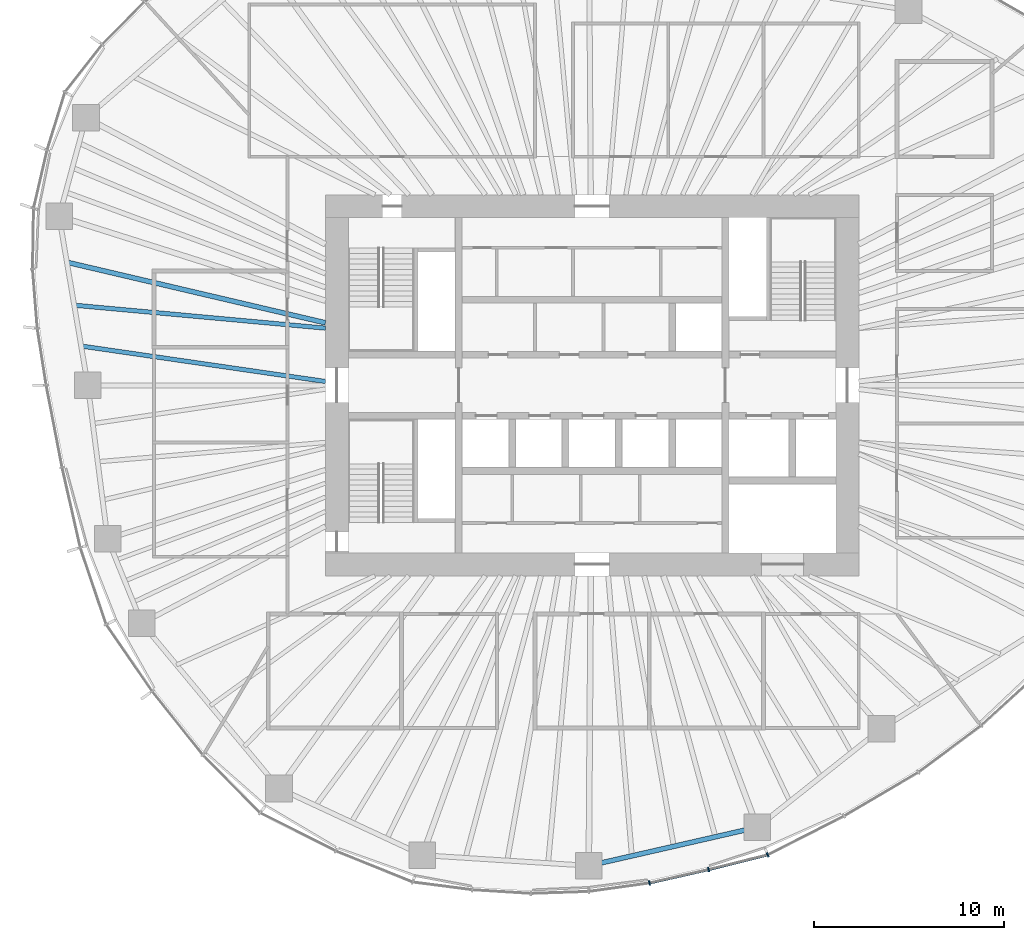
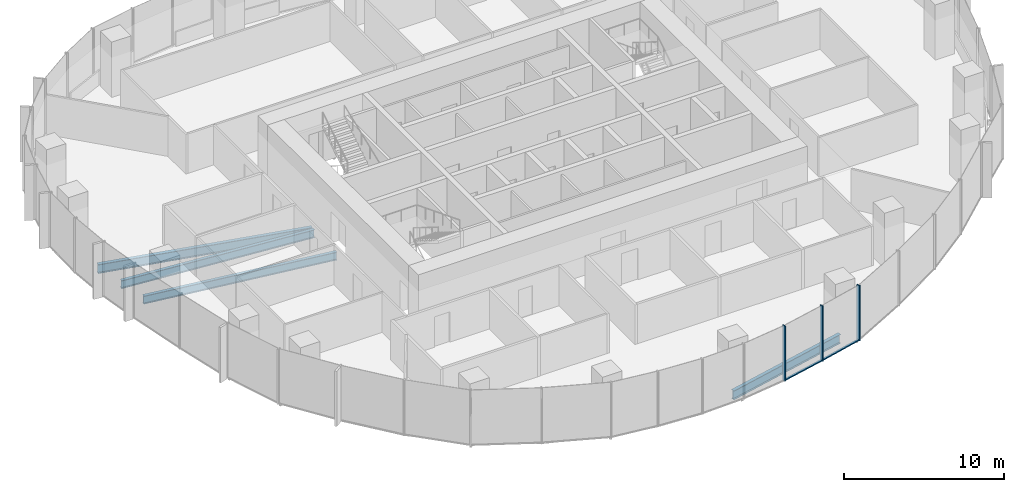
# One storey, part 3 of 18: 5 members, 4 beams, 2 elements without a shape of their own.
"""IFC4 building model written with IfcOpenShell, lengths in metres."""

from ifc_helpers import new_model, si_unit, direction, frame, origin, origin_2d, place, context, subcontext, project, spatial, rectangle, i_section, extrude, material, material_profile, profile_set, type_object, element, aggregate, save


model = new_model("IFC4")

# Units and contexts
model_context = context("Model", 3, precision=1e-05, world=origin(), true_north=direction((0.0, 1.0)))
body_context = subcontext(model_context, "Body", "Model", "MODEL_VIEW")
ifc_project = project(units=[si_unit("LENGTHUNIT", "METRE"), si_unit("AREAUNIT", "SQUARE_METRE"), si_unit("VOLUMEUNIT", "CUBIC_METRE"), si_unit("PLANEANGLEUNIT", "RADIAN"), si_unit("MASSUNIT", "GRAM", prefix="KILO")], contexts=[model_context])

# Site, building, storey
site_placement = place(None, origin())
site = spatial("IfcSite", under=ifc_project, at=site_placement, CompositionType="ELEMENT")
building_placement = place(site_placement, origin())
building = spatial("IfcBuilding", under=site, at=building_placement, Name="Ghaith Harvest Tower", CompositionType="ELEMENT")
storey_placement = place(building_placement, frame((0.0, 0.0, 151.199951171875)))
storey = spatial("IfcBuildingStorey", under=building, at=storey_placement, Name="L32", CompositionType="ELEMENT", Elevation=151.199951171875)

# Curtain wall, members
ifc_material_1 = material(Name="Black anodised aluminium and fritted glass", Category="aluminium")
curtain_wall_type = type_object("IfcCurtainWallType", Name="CW-L CURTAIN WALL", PredefinedType="NOTDEFINED", material=ifc_material_1)
curtain_wall_1_placement = place(storey_placement, origin())
curtain_wall_1 = element("IfcCurtainWall", 1, at=curtain_wall_1_placement, inside=storey, type_object=curtain_wall_type, Name="Curtain wall CW-L bay 16 L32", PredefinedType="NOTDEFINED")
ifc_material_2 = material(Name="Aluminium, black anodised", Category="aluminium")
ifc_material_profile_1 = material_profile(ifc_material_2, rectangle(XDim=0.080078125, YDim=0.239990234375, at=origin_2d()), Name="CW-L MULLION 80x240")
ifc_profile_set_1 = profile_set([ifc_material_profile_1], Name="Aluminium, black anodised")
member_type_1 = type_object("IfcMemberType", Name="CW-L MULLION 80x240", PredefinedType="MULLION", material=ifc_profile_set_1)
member_1_placement = place(storey_placement, frame((3.010009765625, -26.12939453125, 0.0), z_axis=(0.0, 0.0, 1.0), x_axis=(0.983806317978, 0.179234842337, 0.0)))
member_1 = element("IfcMember", 2, at=member_1_placement, type_object=member_type_1, Name="CW-L mullion 2 bay 16 L32", PredefinedType="MULLION", context=body_context, shape_type="SweptSolid", body=[
    extrude(rectangle(XDim=0.080078125, YDim=0.239990234375, at=origin_2d()), origin(), (0.0, 0.0, 1.0), 4.199951171875),
])
member_2_placement = place(storey_placement, frame((6.1201171875, -25.425537109375, 0.0), z_axis=(0.0, 0.0, 1.0), x_axis=(0.972918144681, 0.231149916179, 0.0)))
member_2 = element("IfcMember", 3, at=member_2_placement, type_object=member_type_1, Name="CW-L mullion 3 bay 16 L32", PredefinedType="MULLION", context=body_context, shape_type="SweptSolid", body=[
    extrude(rectangle(XDim=0.080078125, YDim=0.239990234375, at=origin_2d()), origin(), (0.0, 0.0, 1.0), 4.199951171875),
])

# Curtain wall, member
curtain_wall_2_placement = place(storey_placement, origin())
curtain_wall_2 = element("IfcCurtainWall", 4, at=curtain_wall_2_placement, inside=storey, type_object=curtain_wall_type, Name="Curtain wall CW-L bay 17 L32", PredefinedType="NOTDEFINED")
member_3_placement = place(storey_placement, frame((9.216796875, -24.654541015625, 0.0), z_axis=(0.0, 0.0, 1.0), x_axis=(0.929831847154, 0.367984695358, 0.0)))
member_3 = element("IfcMember", 5, at=member_3_placement, type_object=member_type_1, Name="CW-L mullion 1 bay 17 L32", PredefinedType="MULLION", context=body_context, shape_type="SweptSolid", body=[
    extrude(rectangle(XDim=0.080078125, YDim=0.239990234375, at=origin_2d()), origin(), (0.0, 0.0, 1.0), 4.199951171875),
])
aggregate(curtain_wall_2, [member_3])

# Member
ifc_material_3 = material(Name="Aluminium, black anodised", Category="aluminium")
ifc_material_profile_2 = material_profile(ifc_material_3, rectangle(XDim=0.14990234375, YDim=0.080078125, at=origin_2d()), Name="CW-L TRANSOM 150x80")
ifc_profile_set_2 = profile_set([ifc_material_profile_2], Name="Aluminium, black anodised")
member_type_2 = type_object("IfcMemberType", Name="CW-L TRANSOM 150x80", PredefinedType="USERDEFINED", material=ifc_profile_set_2)
member_4_placement = place(storey_placement, frame((3.048828125, -26.120361328125, 0.0400390625), z_axis=(0.975352213651, 0.22065370907, 0.0), x_axis=(-0.22065370907, 0.975352213651, 0.0)))
member_4 = element("IfcMember", 6, at=member_4_placement, type_object=member_type_2, Name="CW-L transom 2 bay 16 L32", ObjectType="TRANSOM", PredefinedType="USERDEFINED", context=body_context, shape_type="SweptSolid", body=[
    extrude(rectangle(XDim=0.14990234375, YDim=0.080078125, at=origin_2d()), origin(), (0.0, 0.0, 1.0), 3.109130859375),
])

member_5_placement = place(storey_placement, frame((6.158935546875, -25.415771484375, 0.0400390625), z_axis=(0.97039125345, 0.241538434265, 0.0), x_axis=(-0.241538434265, 0.97039125345, 0.0)))
member_5 = element("IfcMember", 7, at=member_5_placement, type_object=member_type_2, Name="CW-L transom 3 bay 16 L32", ObjectType="TRANSOM", PredefinedType="USERDEFINED", context=body_context, shape_type="SweptSolid", body=[
    extrude(rectangle(XDim=0.14990234375, YDim=0.080078125, at=origin_2d()), origin(), (0.0, 0.0, 1.0), 3.111083984375),
])

aggregate(curtain_wall_1, [member_1, member_4, member_2, member_5])

# Beams
ifc_material_4 = material(Name="Steel ASTM A992 Grade 50", Category="steel")
ifc_material_profile_3 = material_profile(ifc_material_4, i_section(OverallWidth=0.25390625, OverallDepth=0.68408203125, WebThickness=0.012451171875, FlangeThickness=0.018798828125, at=origin_2d()), Name="W690X140")
ifc_profile_set_3 = profile_set([ifc_material_profile_3], Name="Steel ASTM A992 Grade 50")
beam_type_1 = type_object("IfcBeamType", Name="E690-140 W690X140", PredefinedType="SPANDREL", material=ifc_profile_set_3)
beam_1_placement = place(storey_placement, frame((-0.173095703125, -25.22412109375, -0.511962890625), z_axis=(0.974881709383, 0.22272326486, 0.0), x_axis=(-0.22272326486, 0.974881709383, 0.0)))
element("IfcBeam", 8, at=beam_1_placement, inside=storey, type_object=beam_type_1, Name="Edge beam E16 L32", PredefinedType="SPANDREL", context=body_context, shape_type="SweptSolid", body=[
    extrude(i_section(OverallWidth=0.25390625, OverallDepth=0.68408203125, WebThickness=0.012451171875, FlangeThickness=0.018798828125, at=origin_2d()), origin(), (0.0, 0.0, 1.0), 9.0751953125),
])
ifc_material_5 = material(Name="Steel ASTM A992 Grade 50", Category="steel")
ifc_material_profile_4 = material_profile(ifc_material_5, i_section(OverallWidth=0.22900390625, OverallDepth=0.612060546875, WebThickness=0.011962890625, FlangeThickness=0.01953125, at=origin_2d()), Name="W610X125")
ifc_profile_set_4 = profile_set([ifc_material_profile_4], Name="Steel ASTM A992 Grade 50")
beam_type_2 = type_object("IfcBeamType", Name="J610-125 W610X125", PredefinedType="JOIST", material=ifc_profile_set_4)
beam_2_placement = place(storey_placement, frame((-14.0, 3.0, -0.475830078125), z_axis=(-0.995849123151, 0.091019360137, 0.0), x_axis=(-0.091019360137, -0.995849123151, 0.0)))
element("IfcBeam", 9, at=beam_2_placement, inside=storey, type_object=beam_type_2, Name="Joist J10.2 L32", PredefinedType="JOIST", context=body_context, shape_type="SweptSolid", body=[
    extrude(i_section(OverallWidth=0.22900390625, OverallDepth=0.612060546875, WebThickness=0.011962890625, FlangeThickness=0.01953125, at=origin_2d()), origin(), (0.0, 0.0, 1.0), 13.2451171875),
])
beam_3_placement = place(storey_placement, frame((-14.0, 0.199951171875, -0.475830078125), z_axis=(-0.989622120656, 0.143694322465, 0.0), x_axis=(-0.143694322465, -0.989622120656, 0.0)))
element("IfcBeam", 10, at=beam_3_placement, inside=storey, type_object=beam_type_2, Name="Joist J10.3 L32", PredefinedType="JOIST", context=body_context, shape_type="SweptSolid", body=[
    extrude(i_section(OverallWidth=0.22900390625, OverallDepth=0.612060546875, WebThickness=0.011962890625, FlangeThickness=0.01953125, at=origin_2d()), origin(), (0.0, 0.0, 1.0), 12.960205078125),
])
ifc_material_6 = material(Name="Steel ASTM A992 Grade 50", Category="steel")
ifc_material_profile_5 = material_profile(ifc_material_6, i_section(OverallWidth=0.25390625, OverallDepth=0.68408203125, WebThickness=0.012451171875, FlangeThickness=0.018798828125, at=origin_2d()), Name="W690X140")
ifc_profile_set_5 = profile_set([ifc_material_profile_5], Name="Steel ASTM A992 Grade 50")
beam_type_3 = type_object("IfcBeamType", Name="J690-140 W690X140", PredefinedType="JOIST", material=ifc_profile_set_5)
beam_4_placement = place(storey_placement, frame((-14.0, 3.280517578125, -0.511962890625), z_axis=(-0.973623240284, 0.228161753978, 0.0), x_axis=(-0.228161753978, -0.973623240284, 0.0)))
element("IfcBeam", 11, at=beam_4_placement, inside=storey, type_object=beam_type_3, Name="Joist J10.1 L32", PredefinedType="JOIST", context=body_context, shape_type="SweptSolid", body=[
    extrude(i_section(OverallWidth=0.25390625, OverallDepth=0.68408203125, WebThickness=0.012451171875, FlangeThickness=0.018798828125, at=origin_2d()), origin(), (0.0, 0.0, 1.0), 13.94140625),
])

save(model, "model.ifc")
